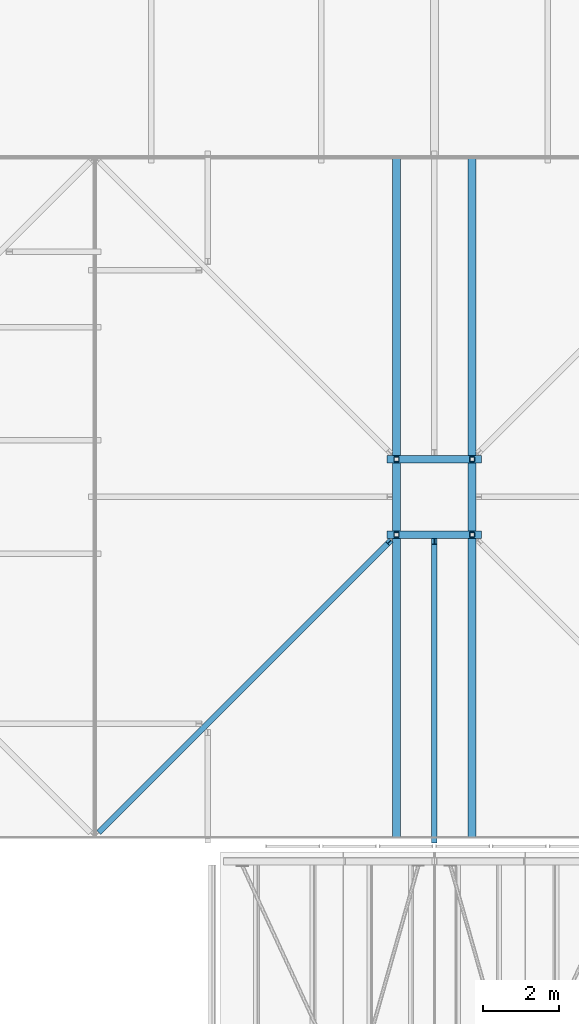
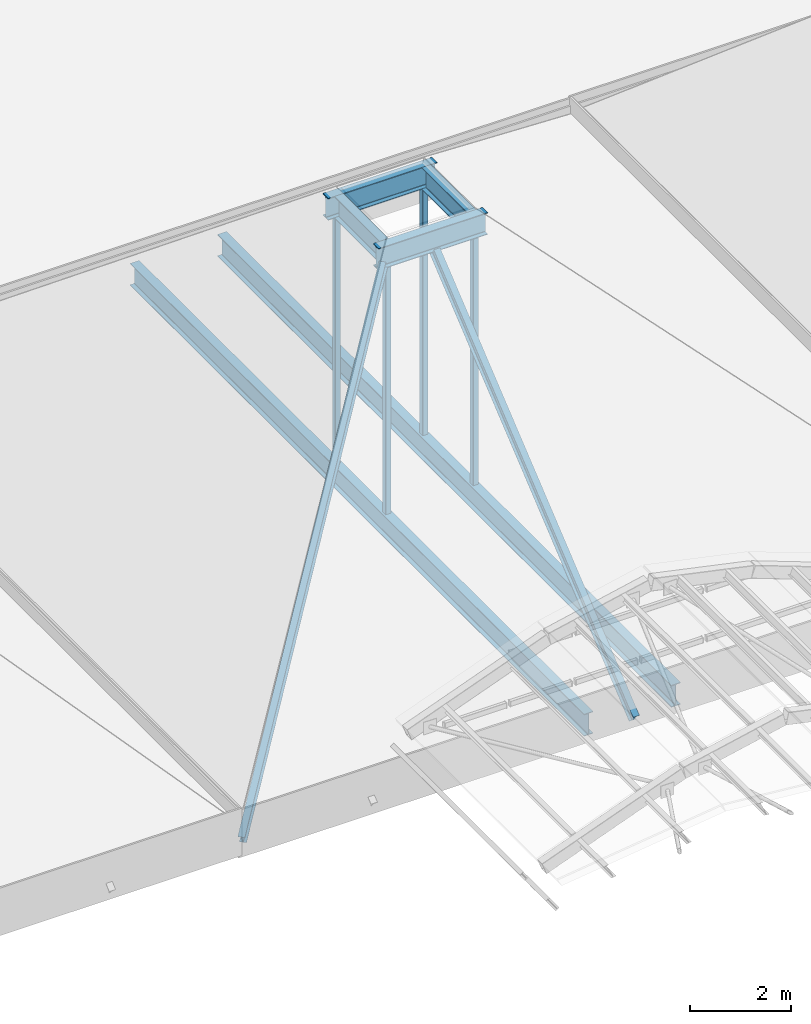
# One storey, part 24 of 57: 6 beams, 6 members.
"""IFC4 building model written with IfcOpenShell, lengths in metres."""

from ifc_helpers import new_model, si_unit, direction, frame, origin, origin_2d, place, context, subcontext, project, spatial, hollow_rectangle, i_section, extrude, material, material_profile, profile_set, type_object, element, save


model = new_model("IFC4")

# Units and contexts
model_context = context("Model", 3, precision=1e-05, world=origin(), true_north=direction((0.0, 1.0)))
body_context = subcontext(model_context, "Body", "Model", "MODEL_VIEW")
ifc_project = project(units=[si_unit("LENGTHUNIT", "METRE"), si_unit("AREAUNIT", "SQUARE_METRE"), si_unit("VOLUMEUNIT", "CUBIC_METRE"), si_unit("PLANEANGLEUNIT", "RADIAN"), si_unit("MASSUNIT", "GRAM", prefix="KILO")], contexts=[model_context])

# Site, building, storey
site_placement = place(None, origin())
site = spatial("IfcSite", under=ifc_project, at=site_placement, CompositionType="ELEMENT")
building_placement = place(site_placement, origin())
building = spatial("IfcBuilding", under=site, at=building_placement, Name="Saffron Lane Theatres", CompositionType="ELEMENT")
storey_placement = place(building_placement, frame((0.0, 0.0, 28.0)))
storey = spatial("IfcBuildingStorey", under=building, at=storey_placement, Name="Upper Roof", CompositionType="ELEMENT", Elevation=28.0)

# Beams
ifc_material_1 = material(Name="Steel Grade 350", Category="steel")
ifc_material_profile_1 = material_profile(ifc_material_1, i_section(OverallWidth=0.208984375, OverallDepth=0.532958984375, WebThickness=0.01025390625, FlangeThickness=0.015625, FilletRadius=0.013916015625, at=origin_2d()))
ifc_profile_set_1 = profile_set([ifc_material_profile_1], Name="Steel Grade 350")
beam_type = type_object("IfcBeamType", Name="ST-CROWN GIRDER 530UB92.4", PredefinedType="BEAM", material=ifc_profile_set_1)
for number, where, z_axis, x_axis, name in (
    (1, (31.75, 98.0, 6.80078125), (1.0, 0.0, 0.0), (0.0, 1.0, 0.0), "BK2-C1"),
    (2, (31.75, 100.0, 6.80078125), (1.0, 0.0, 0.0), (0.0, 1.0, 0.0), "BK2-C2"),
):
    element("IfcBeam", number, at=place(storey_placement, frame(where, z_axis=z_axis, x_axis=x_axis)), inside=storey, type_object=beam_type, Name=name, PredefinedType="BEAM", context=body_context, shape_type="SweptSolid", body=[
        extrude(i_section(OverallWidth=0.208984375, OverallDepth=0.532958984375, WebThickness=0.01025390625, FlangeThickness=0.015625, FilletRadius=0.013916015625, at=origin_2d()), origin(), (0.0, 0.0, 1.0), 2.5),
    ])
for number, where, z_axis, x_axis, name in (
    (3, (32.0, 98.1044921875, 6.80078125), (0.0, 1.0, 0.0), (-1.0, 0.0, 0.0), "BK2-C3"),
    (4, (34.0, 98.1044921875, 6.80078125), (0.0, 1.0, 0.0), (-1.0, 0.0, 0.0), "BK2-C4"),
):
    element("IfcBeam", number, at=place(storey_placement, frame(where, z_axis=z_axis, x_axis=x_axis)), inside=storey, type_object=beam_type, Name=name, PredefinedType="BEAM", context=body_context, shape_type="SweptSolid", body=[
        extrude(i_section(OverallWidth=0.208984375, OverallDepth=0.532958984375, WebThickness=0.01025390625, FlangeThickness=0.015625, FilletRadius=0.013916015625, at=origin_2d()), origin(), (0.0, 0.0, 1.0), 1.791015625),
    ])
for number, where, z_axis, x_axis, name in (
    (5, (32.0, 90.0, 0.2666015625), (0.0, 1.0, 0.0), (-1.0, 0.0, 0.0), "BK2-G1"),
    (6, (34.0, 90.0, 0.2666015625), (0.0, 1.0, 0.0), (-1.0, 0.0, 0.0), "BK2-G2"),
):
    element("IfcBeam", number, at=place(storey_placement, frame(where, z_axis=z_axis, x_axis=x_axis)), inside=storey, type_object=beam_type, Name=name, PredefinedType="BEAM", context=body_context, shape_type="SweptSolid", body=[
        extrude(i_section(OverallWidth=0.208984375, OverallDepth=0.532958984375, WebThickness=0.01025390625, FlangeThickness=0.015625, FilletRadius=0.013916015625, at=origin_2d()), origin(), (0.0, 0.0, 1.0), 18.0),
    ])

# Members
ifc_material_2 = material(Name="Steel Grade 350", Category="steel")
ifc_material_profile_2 = material_profile(ifc_material_2, i_section(OverallWidth=0.14599609375, OverallDepth=0.251953125, WebThickness=0.006103515625, FlangeThickness=0.008544921875, FilletRadius=0.011962890625, at=origin_2d()))
ifc_profile_set_2 = profile_set([ifc_material_profile_2], Name="Steel Grade 350")
member_type_1 = type_object("IfcMemberType", Name="ST-HIP RAFTER 250UB31.4", PredefinedType="RAFTER", material=ifc_profile_set_2)
member_1_placement = place(storey_placement, frame((24.1611328125, 90.1611328125, 0.10888671875), z_axis=(0.60321651649, 0.60321651649, 0.521785078809), x_axis=(-0.707106781187, 0.707106781187, 0.0)))
element("IfcMember", 7, at=member_1_placement, inside=storey, type_object=member_type_1, Name="BK2-H1", PredefinedType="RAFTER", context=body_context, shape_type="SweptSolid", body=[
    extrude(i_section(OverallWidth=0.14599609375, OverallDepth=0.251953125, WebThickness=0.006103515625, FlangeThickness=0.008544921875, FilletRadius=0.011962890625, at=origin_2d()), origin(), (0.0, 0.0, 1.0), 12.678955078125),
])
ifc_material_3 = material(Name="Steel Grade 350", Category="steel")
ifc_material_profile_3 = material_profile(ifc_material_3, i_section(OverallWidth=0.14599609375, OverallDepth=0.251953125, WebThickness=0.006103515625, FlangeThickness=0.008544921875, FilletRadius=0.011962890625, at=origin_2d()))
ifc_profile_set_3 = profile_set([ifc_material_profile_3], Name="Steel Grade 350")
member_type_2 = type_object("IfcMemberType", Name="ST-JACK RAFTER 250UB31.4", PredefinedType="RAFTER", material=ifc_profile_set_3)
member_2_placement = place(storey_placement, frame((33.0, 89.919921875, 0.09716796875), z_axis=(0.0, 0.771407475001, 0.636341502271), x_axis=(-1.0, 0.0, 0.0)))
element("IfcMember", 8, at=member_2_placement, inside=storey, type_object=member_type_2, Name="BK2-K3", PredefinedType="RAFTER", context=body_context, shape_type="SweptSolid", body=[
    extrude(i_section(OverallWidth=0.14599609375, OverallDepth=0.251953125, WebThickness=0.006103515625, FlangeThickness=0.008544921875, FilletRadius=0.011962890625, at=origin_2d()), origin(), (0.0, 0.0, 1.0), 10.250732421875),
])
ifc_material_4 = material(Name="Steel Grade 350", Category="steel")
ifc_material_profile_4 = material_profile(ifc_material_4, hollow_rectangle(XDim=0.125, YDim=0.125, WallThickness=0.006103515625, InnerFilletRadius=0.0029296875, OuterFilletRadius=0.009033203125, at=origin_2d()))
ifc_profile_set_4 = profile_set([ifc_material_profile_4], Name="Steel Grade 350")
member_type_3 = type_object("IfcMemberType", Name="ST-STUDIO POST 125x125x6 SHS", PredefinedType="POST", material=ifc_profile_set_4)
for number, where, z_axis, x_axis, name in (
    (9, (32.0, 98.0, 0.532958984375), (0.0, 0.0, 1.0), (1.0, 0.0, 0.0), "BK2-P1-98"),
    (10, (32.0, 100.0, 0.532958984375), (0.0, 0.0, 1.0), (1.0, 0.0, 0.0), "BK2-P1-100"),
    (11, (34.0, 98.0, 0.532958984375), (0.0, 0.0, 1.0), (1.0, 0.0, 0.0), "BK2-P2-98"),
    (12, (34.0, 100.0, 0.532958984375), (0.0, 0.0, 1.0), (1.0, 0.0, 0.0), "BK2-P2-100"),
):
    element("IfcMember", number, at=place(storey_placement, frame(where, z_axis=z_axis, x_axis=x_axis)), inside=storey, type_object=member_type_3, Name=name, PredefinedType="POST", context=body_context, shape_type="SweptSolid", body=[
        extrude(hollow_rectangle(XDim=0.125, YDim=0.125, WallThickness=0.006103515625, InnerFilletRadius=0.0029296875, OuterFilletRadius=0.009033203125, at=origin_2d()), origin(), (0.0, 0.0, 1.0), 6.00146484375),
    ])

save(model, "model.ifc")
